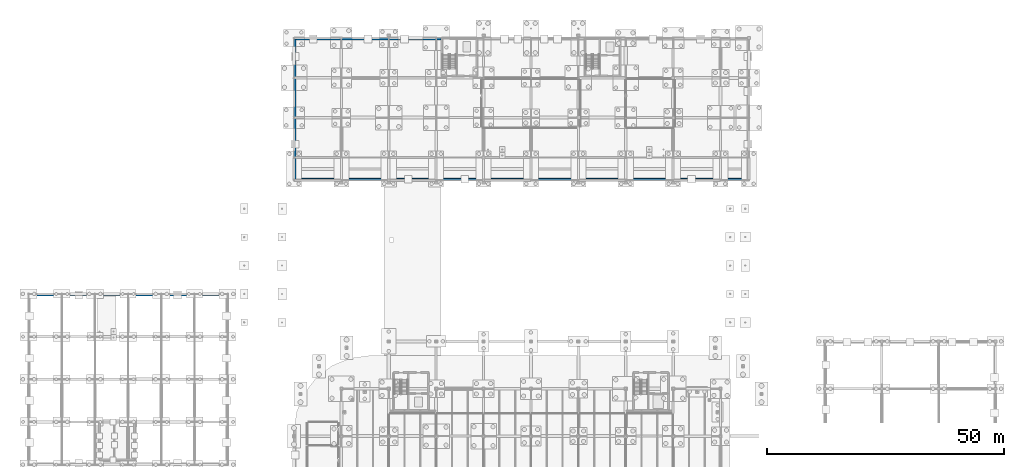
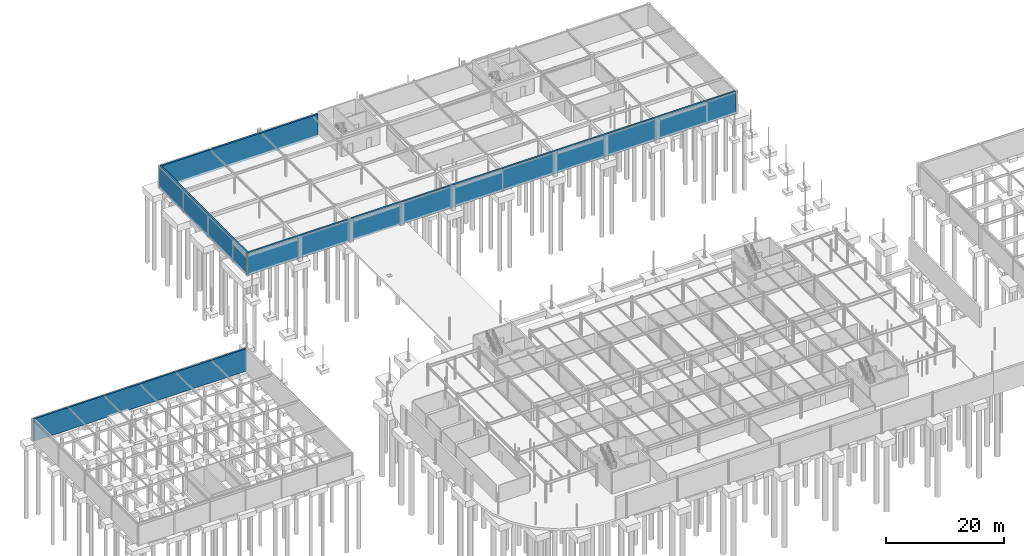
# One storey, part 64 of 75: 4 walls.
"""IFC4 building model written with IfcOpenShell, lengths in metres."""

from ifc_helpers import new_model, si_unit, derived_unit, direction, frame, frame_2d, origin, place, context, subcontext, project, spatial, rectangle, extrude, material, layer, layer_set, type_object, element, save


model = new_model("IFC4")

# Units and contexts
model_context = context("Model", 3, precision=1e-05, world=origin(), true_north=direction((0.0, 1.0)))
body_context = subcontext(model_context, "Body", "Model", "MODEL_VIEW")
ifc_project = project(units=[si_unit("LENGTHUNIT", "METRE"), si_unit("AREAUNIT", "SQUARE_METRE"), si_unit("VOLUMEUNIT", "CUBIC_METRE"), si_unit("PLANEANGLEUNIT", "RADIAN"), si_unit("MASSUNIT", "GRAM", prefix="KILO"), derived_unit("THERMALTRANSMITTANCEUNIT", [(si_unit("POWERUNIT", "WATT"), 1), (si_unit("LENGTHUNIT", "METRE"), -2), (si_unit("THERMODYNAMICTEMPERATUREUNIT", "KELVIN"), -1)])], contexts=[model_context])

# Site, building, storey
site_placement = place(None, origin())
site = spatial("IfcSite", under=ifc_project, at=site_placement, CompositionType="ELEMENT")
building_placement = place(site_placement, origin())
building = spatial("IfcBuilding", under=site, at=building_placement, Name="Cinnabar Yard Market Hall", CompositionType="ELEMENT")
storey_placement = place(building_placement, frame((0.0, 0.0, -4.5)))
storey = spatial("IfcBuildingStorey", under=building, at=storey_placement, Name="B1", CompositionType="ELEMENT", Elevation=-4.5)

# Walls
ifc_material = material(Name="Concrete 40 MPa", Category="concrete")
ifc_layer = layer(ifc_material, 0.360107421875)
ifc_layer_set = layer_set([ifc_layer], Name="Concrete 40 MPa")
wall_type = type_object("IfcWallType", Name="WL-W-RET2E", PredefinedType="USERDEFINED", material=ifc_layer_set)
wall_1_placement = place(storey_placement, frame((51.800048828125, 83.800048828125, -0.449951171875), z_axis=(0.0, 0.0, 1.0), x_axis=(-1.0, 0.0, 0.0)))
element("IfcWall", 1, at=wall_1_placement, inside=storey, type_object=wall_type, Name="Retaining Plinth Wall B1-RET-V2N", ObjectType="RETAINING WALL", PredefinedType="USERDEFINED", context=body_context, shape_type="SweptSolid", body=[
    extrude(rectangle(XDim=41.60009765625, YDim=0.360107421875, at=frame_2d((20.800048828125, 0.0), x_axis=(1.0, 0.0))), origin(), (0.0, 0.0, 1.0), 4.64990234375),
])
wall_2_placement = place(storey_placement, frame((66.199951171875, 137.800048828125, -0.449951171875), z_axis=(0.0, 0.0, 1.0), x_axis=(1.0, 0.0, 0.0)))
element("IfcWall", 2, at=wall_2_placement, inside=storey, type_object=wall_type, Name="Retaining Plinth Wall B1-RET-V3N1", ObjectType="RETAINING WALL", PredefinedType="USERDEFINED", context=body_context, shape_type="SweptSolid", body=[
    extrude(rectangle(XDim=30.820068359375, YDim=0.360107421875, at=frame_2d((15.41015625, 0.0), x_axis=(1.0, 0.0))), origin(), (0.0, 0.0, 1.0), 4.64990234375),
])
wall_3_placement = place(storey_placement, frame((66.199951171875, 108.199951171875, -0.449951171875), z_axis=(0.0, 0.0, 1.0), x_axis=(1.0, 0.0, 0.0)))
element("IfcWall", 3, at=wall_3_placement, inside=storey, type_object=wall_type, Name="Retaining Plinth Wall B1-RET-V3S", ObjectType="RETAINING WALL", PredefinedType="USERDEFINED", context=body_context, shape_type="SweptSolid", body=[
    extrude(rectangle(XDim=95.60009765625, YDim=0.360107421875, at=frame_2d((47.800048828125, 0.0), x_axis=(1.0, 0.0))), origin(), (0.0, 0.0, 1.0), 4.64990234375),
])
wall_4_placement = place(storey_placement, frame((66.199951171875, 137.800048828125, -0.449951171875), z_axis=(0.0, 0.0, 1.0), x_axis=(0.0, -1.0, 0.0)))
element("IfcWall", 4, at=wall_4_placement, inside=storey, type_object=wall_type, Name="Retaining Plinth Wall B1-RET-V3W", ObjectType="RETAINING WALL", PredefinedType="USERDEFINED", context=body_context, shape_type="SweptSolid", body=[
    extrude(rectangle(XDim=29.60009765625, YDim=0.360107421875, at=frame_2d((14.800048828125, 0.0), x_axis=(1.0, 0.0))), origin(), (0.0, 0.0, 1.0), 4.64990234375),
])

save(model, "model.ifc")
